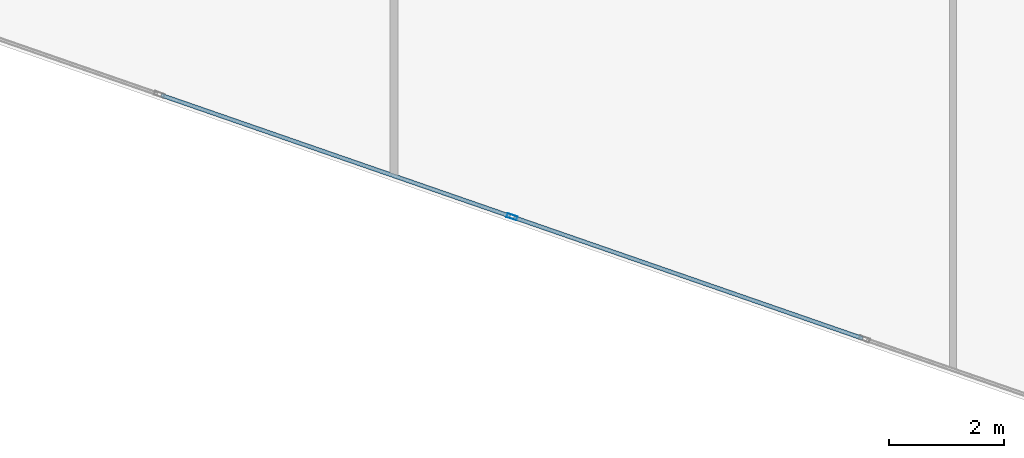
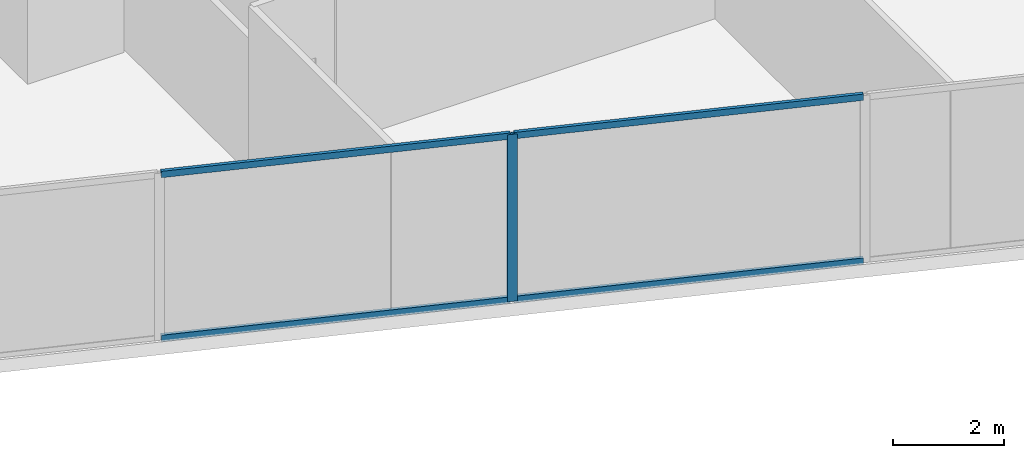
# One storey, part 3 of 27: 5 members, 1 element without a shape of its own.
"""IFC4 building model written with IfcOpenShell, lengths in metres."""

from ifc_helpers import new_model, si_unit, direction, frame, origin, origin_2d, place, context, subcontext, project, spatial, hollow_rectangle, extrude, source, transform, mapped, material, material_profile, profile_set, type_object, type_shapes, element, aggregate, save


model = new_model("IFC4")

# Units and contexts
model_context = context("Model", 3, precision=1e-05, world=origin(), true_north=direction((0.0, 1.0)))
body_context = subcontext(model_context, "Body", "Model", "MODEL_VIEW")
ifc_project = project(units=[si_unit("LENGTHUNIT", "METRE"), si_unit("AREAUNIT", "SQUARE_METRE"), si_unit("VOLUMEUNIT", "CUBIC_METRE"), si_unit("PLANEANGLEUNIT", "RADIAN"), si_unit("MASSUNIT", "GRAM", prefix="KILO")], contexts=[model_context])

# Site, building, storey
site_placement = place(None, origin())
site = spatial("IfcSite", under=ifc_project, at=site_placement, CompositionType="ELEMENT")
building_placement = place(site_placement, origin())
building = spatial("IfcBuilding", under=site, at=building_placement, Name="Krantzveldt Concourse Tower", CompositionType="ELEMENT")
storey_placement = place(building_placement, frame((0.0, 0.0, 125.60009765625)))
storey = spatial("IfcBuildingStorey", under=building, at=storey_placement, Name="L30", CompositionType="ELEMENT", Elevation=125.60009765625)

# Curtain wall, members
ifc_material = material(Name="Anodised aluminium 6063-T6", Category="aluminium")
curtain_wall_type = type_object("IfcCurtainWallType", Name="CW2", PredefinedType="USERDEFINED", material=ifc_material)
curtain_wall_placement = place(storey_placement, origin())
curtain_wall = element("IfcCurtainWall", 1, at=curtain_wall_placement, inside=storey, type_object=curtain_wall_type, Name="CW-L30-F04", ObjectType="UNITISED CURTAIN WALL", PredefinedType="USERDEFINED")
ifc_material_profile_1 = material_profile(ifc_material, hollow_rectangle(XDim=0.070068359375, YDim=0.179931640625, WallThickness=0.0048828125, at=origin_2d()), Name="Anodised aluminium 6063-T6", Category="aluminium")
ifc_profile_set_1 = profile_set([ifc_material_profile_1], Name="Anodised aluminium 6063-T6 - ALU-MULL 180x70x5")
member_type_1 = type_object("IfcMemberType", Name="CW-MUL-180", PredefinedType="MULLION", material=ifc_profile_set_1)
shared_shape_1 = source(origin(), body_context, "Body", "SweptSolid", [
    extrude(hollow_rectangle(XDim=0.070068359375, YDim=0.179931640625, WallThickness=0.0048828125, at=origin_2d()), origin(), (0.0, 0.0, 1.0), 3.669921875),
])
type_shapes(member_type_1, [shared_shape_1])
member_1_placement = place(storey_placement, frame((28.363037109375, 4.676513671875, 0.0), z_axis=(0.0, 0.0, 1.0), x_axis=(0.32763019404, 0.944806041446, 0.0)))
member_1 = element("IfcMember", 2, at=member_1_placement, type_object=member_type_1, Name="CW-Z12 mullion 4", PredefinedType="MULLION", context=body_context, shape_type="MappedRepresentation", body=[
    mapped(shared_shape_1, transform((0.0, 0.0, 0.0), x_axis=(1.0, 0.0, 0.0), y_axis=(0.0, 1.0, 0.0), z_axis=(0.0, 0.0, 1.0), scale=1.0)),
])
ifc_material_profile_2 = material_profile(ifc_material, hollow_rectangle(XDim=0.070068359375, YDim=0.139892578125, WallThickness=0.0048828125, at=origin_2d()), Name="Anodised aluminium 6063-T6", Category="aluminium")
ifc_profile_set_2 = profile_set([ifc_material_profile_2], Name="Anodised aluminium 6063-T6 - ALU-TRAN 140x70x5")
member_type_2 = type_object("IfcMemberType", Name="CW-TRN-150", PredefinedType="USERDEFINED", material=ifc_profile_set_2)
shared_shape_2 = source(origin(), body_context, "Body", "SweptSolid", [
    extrude(hollow_rectangle(XDim=0.070068359375, YDim=0.139892578125, WallThickness=0.0048828125, at=origin_2d()), origin(), (0.0, 0.0, 1.0), 6.396728515625),
])
member_2_placement = place(storey_placement, frame((28.39599609375, 4.6650390625, 0.034912109375), z_axis=(0.944809422525, -0.327620443666, 0.0), x_axis=(0.327620443666, 0.944809422525, 0.0)))
member_2 = element("IfcMember", 3, at=member_2_placement, type_object=member_type_2, Name="CW-Z12 transom 4.1", ObjectType="TRANSOM", PredefinedType="USERDEFINED", context=body_context, shape_type="MappedRepresentation", body=[
    mapped(shared_shape_2, transform((0.0, 0.0, 0.0), x_axis=(1.0, 0.0, 0.0), y_axis=(0.0, 1.0, 0.0), z_axis=(0.0, 0.0, 1.0), scale=1.0)),
])
member_3_placement = place(storey_placement, frame((28.39599609375, 4.6650390625, 3.635009765625), z_axis=(0.944809422525, -0.327620443666, 0.0), x_axis=(0.327620443666, 0.944809422525, 0.0)))
member_3 = element("IfcMember", 4, at=member_3_placement, type_object=member_type_2, Name="CW-Z12 transom 4.2", ObjectType="TRANSOM", PredefinedType="USERDEFINED", context=body_context, shape_type="MappedRepresentation", body=[
    mapped(shared_shape_2, transform((0.0, 0.0, 0.0), x_axis=(1.0, 0.0, 0.0), y_axis=(0.0, 1.0, 0.0), z_axis=(0.0, 0.0, 1.0), scale=1.0)),
])
shared_shape_3 = source(origin(), body_context, "Body", "SweptSolid", [
    extrude(hollow_rectangle(XDim=0.070068359375, YDim=0.139892578125, WallThickness=0.0048828125, at=origin_2d()), origin(), (0.0, 0.0, 1.0), 6.396484375),
])
type_shapes(member_type_2, [shared_shape_2, shared_shape_3])
member_4_placement = place(storey_placement, frame((22.286376953125, 6.78369140625, 0.034912109375), z_axis=(0.944805325706, -0.327632258054, 0.0), x_axis=(0.327632258054, 0.944805325706, 0.0)))
member_4 = element("IfcMember", 5, at=member_4_placement, type_object=member_type_2, Name="CW-Z12 transom 3.1", ObjectType="TRANSOM", PredefinedType="USERDEFINED", context=body_context, shape_type="MappedRepresentation", body=[
    mapped(shared_shape_3, transform((0.0, 0.0, 0.0), x_axis=(1.0, 0.0, 0.0), y_axis=(0.0, 1.0, 0.0), z_axis=(0.0, 0.0, 1.0), scale=1.0)),
])
member_5_placement = place(storey_placement, frame((22.286376953125, 6.78369140625, 3.635009765625), z_axis=(0.944805325706, -0.327632258054, 0.0), x_axis=(0.327632258054, 0.944805325706, 0.0)))
member_5 = element("IfcMember", 6, at=member_5_placement, type_object=member_type_2, Name="CW-Z12 transom 3.2", ObjectType="TRANSOM", PredefinedType="USERDEFINED", context=body_context, shape_type="MappedRepresentation", body=[
    mapped(shared_shape_3, transform((0.0, 0.0, 0.0), x_axis=(1.0, 0.0, 0.0), y_axis=(0.0, 1.0, 0.0), z_axis=(0.0, 0.0, 1.0), scale=1.0)),
])
aggregate(curtain_wall, [member_1, member_4, member_5, member_2, member_3])

save(model, "model.ifc")
